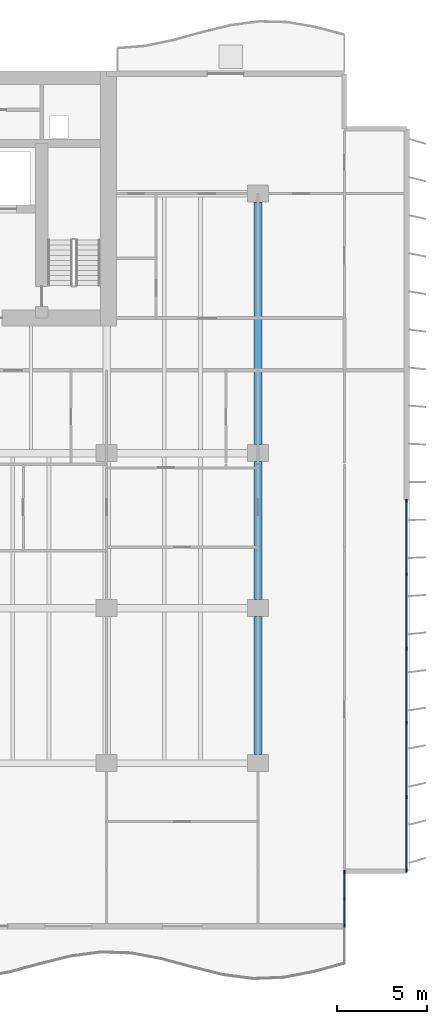
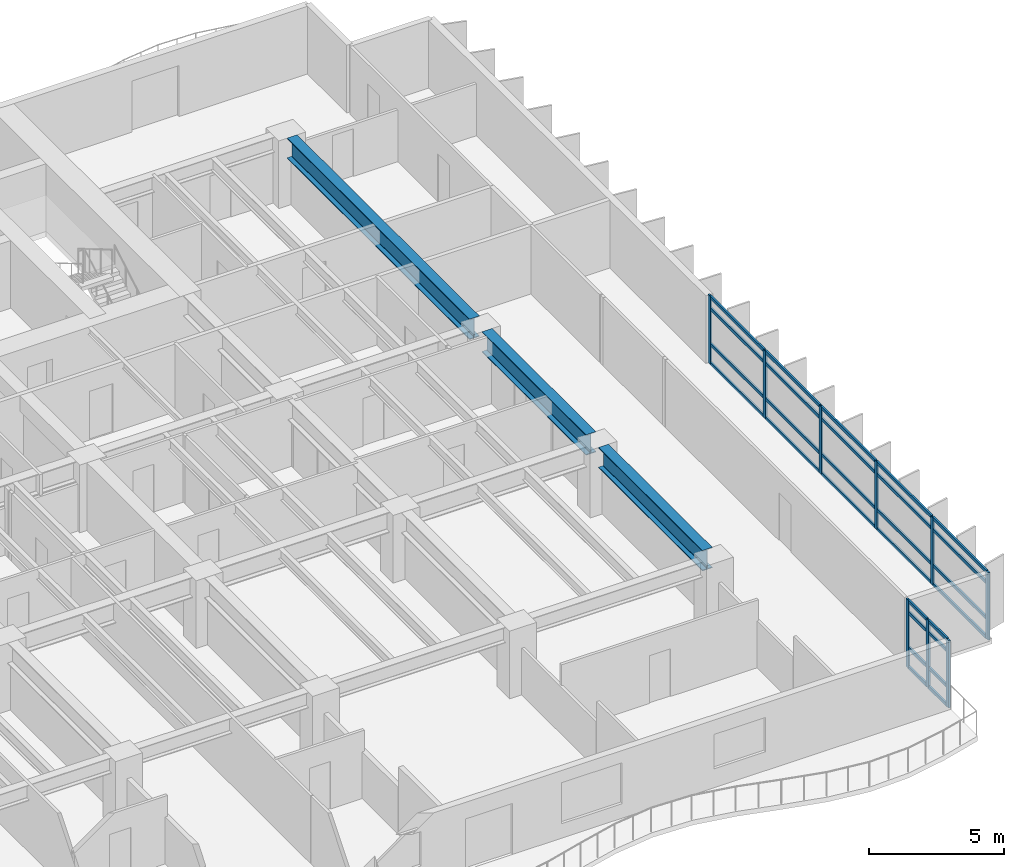
# One storey, part 4 of 18: 37 members, 3 beams, 2 elements without a shape of their own.
"""IFC4 building model written with IfcOpenShell, lengths in metres."""

from ifc_helpers import new_model, si_unit, direction, frame, origin, origin_2d, place, context, subcontext, project, spatial, rectangle, i_section, extrude, material, layer, layer_set, material_profile, profile_set, type_object, element, aggregate, save


model = new_model("IFC4")

# Units and contexts
model_context = context("Model", 3, precision=1e-05, world=origin(), true_north=direction((0.0, 1.0)))
body_context = subcontext(model_context, "Body", "Model", "MODEL_VIEW")
ifc_project = project(units=[si_unit("LENGTHUNIT", "METRE"), si_unit("AREAUNIT", "SQUARE_METRE"), si_unit("VOLUMEUNIT", "CUBIC_METRE"), si_unit("PLANEANGLEUNIT", "RADIAN"), si_unit("MASSUNIT", "GRAM", prefix="KILO")], contexts=[model_context])

# Site, building, storey
site_placement = place(None, origin())
site = spatial("IfcSite", under=ifc_project, at=site_placement, CompositionType="ELEMENT")
building_placement = place(site_placement, origin())
building = spatial("IfcBuilding", under=site, at=building_placement, Name="Caelmar Bay Residences", CompositionType="ELEMENT")
storey_placement = place(building_placement, frame((0.0, 0.0, 46.5)))
storey = spatial("IfcBuildingStorey", under=building, at=storey_placement, Name="L11", CompositionType="ELEMENT", Elevation=46.5)

# Beams
ifc_material_1 = material(Name="Steel ASTM A992 Grade 50", Category="steel")
ifc_material_profile_1 = material_profile(ifc_material_1, i_section(OverallWidth=0.422119140625, OverallDepth=0.925048828125, WebThickness=0.021240234375, FlangeThickness=0.03662109375, FilletRadius=0.020263671875, at=origin_2d()), Name="W36X262")
ifc_profile_set_1 = profile_set([ifc_material_profile_1], Name="Steel ASTM A992 Grade 50")
beam_type = type_object("IfcBeamType", Name="BM-GRD-W36X262", PredefinedType="BEAM", material=ifc_profile_set_1)
beam_1_placement = place(storey_placement, frame((67.89990234375, 12.6650390625, 2.58740234375), z_axis=(0.0, 1.0, 0.0), x_axis=(-1.0, 0.0, 0.0)))
element("IfcBeam", 1, at=beam_1_placement, inside=storey, type_object=beam_type, Name="L11 North-South Girder X=67.90 (12.2-20.8)", PredefinedType="BEAM", context=body_context, shape_type="SweptSolid", body=[
    extrude(i_section(OverallWidth=0.422119140625, OverallDepth=0.925048828125, WebThickness=0.021240234375, FlangeThickness=0.03662109375, FilletRadius=0.020263671875, at=origin_2d()), origin(), (0.0, 0.0, 1.0), 7.669921875),
])
beam_2_placement = place(storey_placement, frame((67.89990234375, 21.264892578125, 2.58740234375), z_axis=(0.0, 1.0, 0.0), x_axis=(-1.0, 0.0, 0.0)))
element("IfcBeam", 2, at=beam_2_placement, inside=storey, type_object=beam_type, Name="L11 North-South Girder X=67.90 (20.8-29.4)", PredefinedType="BEAM", context=body_context, shape_type="SweptSolid", body=[
    extrude(i_section(OverallWidth=0.422119140625, OverallDepth=0.925048828125, WebThickness=0.021240234375, FlangeThickness=0.03662109375, FilletRadius=0.020263671875, at=origin_2d()), origin(), (0.0, 0.0, 1.0), 7.670166015625),
])
beam_3_placement = place(storey_placement, frame((67.89990234375, 29.864990234375, 2.58740234375), z_axis=(0.0, 1.0, 0.0), x_axis=(-1.0, 0.0, 0.0)))
element("IfcBeam", 3, at=beam_3_placement, inside=storey, type_object=beam_type, Name="L11 North-South Girder X=67.90 (29.4-43.8)", PredefinedType="BEAM", context=body_context, shape_type="SweptSolid", body=[
    extrude(i_section(OverallWidth=0.422119140625, OverallDepth=0.925048828125, WebThickness=0.021240234375, FlangeThickness=0.03662109375, FilletRadius=0.020263671875, at=origin_2d()), origin(), (0.0, 0.0, 1.0), 13.469970703125),
])

# Curtain wall, members
ifc_material_2 = material(Name="Anodised bronze aluminium 6063-T6 and laminated glass", Category="aluminium")
ifc_layer_1 = layer(ifc_material_2, 0.179931640625)
ifc_layer_set_1 = layer_set([ifc_layer_1], Name="Anodised bronze aluminium 6063-T6 and laminated glass")
curtain_wall_type_1 = type_object("IfcCurtainWallType", Name="CW6-NTC", PredefinedType="NOTDEFINED", material=ifc_layer_set_1)
curtain_wall_1_placement = place(storey_placement, origin())
curtain_wall_1 = element("IfcCurtainWall", 4, at=curtain_wall_1_placement, inside=storey, type_object=curtain_wall_type_1, Name="CW6 curtain wall L11", PredefinedType="NOTDEFINED")
ifc_material_3 = material(Name="Anodised bronze aluminium 6063-T6", Category="aluminium")
ifc_material_profile_2 = material_profile(ifc_material_3, rectangle(XDim=0.080078125, YDim=0.179931640625, at=origin_2d()), Name="CWM-80X180")
ifc_profile_set_2 = profile_set([ifc_material_profile_2], Name="Anodised bronze aluminium 6063-T6")
member_type_1 = type_object("IfcMemberType", Name="CWM-180", PredefinedType="MULLION", material=ifc_profile_set_2)
member_1_placement = place(storey_placement, frame((72.699951171875, 3.18994140625, 0.0), z_axis=(0.0, 0.0, 1.0), x_axis=(-1.0, 0.0, 0.0)))
member_1 = element("IfcMember", 5, at=member_1_placement, type_object=member_type_1, Name="CW6 mullion 1", PredefinedType="MULLION", context=body_context, shape_type="SweptSolid", body=[
    extrude(rectangle(XDim=0.080078125, YDim=0.179931640625, at=origin_2d()), origin(), (0.0, 0.0, 1.0), 3.050048828125),
])
member_2_placement = place(storey_placement, frame((72.699951171875, 4.675048828125, 0.0), z_axis=(0.0, 0.0, 1.0), x_axis=(-1.0, 0.0, 0.0)))
member_2 = element("IfcMember", 6, at=member_2_placement, type_object=member_type_1, Name="CW6 mullion 2", PredefinedType="MULLION", context=body_context, shape_type="SweptSolid", body=[
    extrude(rectangle(XDim=0.080078125, YDim=0.179931640625, at=origin_2d()), origin(), (0.0, 0.0, 1.0), 3.050048828125),
])
member_3_placement = place(storey_placement, frame((72.699951171875, 6.159912109375, 0.0), z_axis=(0.0, 0.0, 1.0), x_axis=(-1.0, 0.0, 0.0)))
member_3 = element("IfcMember", 7, at=member_3_placement, type_object=member_type_1, Name="CW6 mullion 3", PredefinedType="MULLION", context=body_context, shape_type="SweptSolid", body=[
    extrude(rectangle(XDim=0.080078125, YDim=0.179931640625, at=origin_2d()), origin(), (0.0, 0.0, 1.0), 3.050048828125),
])

ifc_layer_2 = layer(ifc_material_2, 0.179931640625)
ifc_layer_set_2 = layer_set([ifc_layer_2], Name="Anodised bronze aluminium 6063-T6 and laminated glass")
curtain_wall_type_2 = type_object("IfcCurtainWallType", Name="CW2-Z1", PredefinedType="NOTDEFINED", material=ifc_layer_set_2)
curtain_wall_2_placement = place(storey_placement, origin())
curtain_wall_2 = element("IfcCurtainWall", 8, at=curtain_wall_2_placement, inside=storey, type_object=curtain_wall_type_2, Name="CW2 curtain wall L11", PredefinedType="NOTDEFINED")
member_4_placement = place(storey_placement, frame((76.14990234375, 26.760009765625, 0.0), z_axis=(0.0, 0.0, 1.0), x_axis=(1.0, 0.0, 0.0)))
member_4 = element("IfcMember", 9, at=member_4_placement, type_object=member_type_1, Name="CW2 mullion 1", PredefinedType="MULLION", context=body_context, shape_type="SweptSolid", body=[
    extrude(rectangle(XDim=0.080078125, YDim=0.179931640625, at=origin_2d()), origin(), (0.0, 0.0, 1.0), 3.050048828125),
])
member_5_placement = place(storey_placement, frame((76.14990234375, 22.679931640625, 0.0), z_axis=(0.0, 0.0, 1.0), x_axis=(1.0, 0.0, 0.0)))
member_5 = element("IfcMember", 10, at=member_5_placement, type_object=member_type_1, Name="CW2 mullion 2", PredefinedType="MULLION", context=body_context, shape_type="SweptSolid", body=[
    extrude(rectangle(XDim=0.080078125, YDim=0.179931640625, at=origin_2d()), origin(), (0.0, 0.0, 1.0), 3.050048828125),
])
member_6_placement = place(storey_placement, frame((76.14990234375, 18.56005859375, 0.0), z_axis=(0.0, 0.0, 1.0), x_axis=(1.0, 0.0, 0.0)))
member_6 = element("IfcMember", 11, at=member_6_placement, type_object=member_type_1, Name="CW2 mullion 3", PredefinedType="MULLION", context=body_context, shape_type="SweptSolid", body=[
    extrude(rectangle(XDim=0.080078125, YDim=0.179931640625, at=origin_2d()), origin(), (0.0, 0.0, 1.0), 3.050048828125),
])
member_7_placement = place(storey_placement, frame((76.14990234375, 14.43994140625, 0.0), z_axis=(0.0, 0.0, 1.0), x_axis=(1.0, 0.0, 0.0)))
member_7 = element("IfcMember", 12, at=member_7_placement, type_object=member_type_1, Name="CW2 mullion 4", PredefinedType="MULLION", context=body_context, shape_type="SweptSolid", body=[
    extrude(rectangle(XDim=0.080078125, YDim=0.179931640625, at=origin_2d()), origin(), (0.0, 0.0, 1.0), 3.050048828125),
])
member_8_placement = place(storey_placement, frame((76.14990234375, 10.320068359375, 0.0), z_axis=(0.0, 0.0, 1.0), x_axis=(1.0, 0.0, 0.0)))
member_8 = element("IfcMember", 13, at=member_8_placement, type_object=member_type_1, Name="CW2 mullion 5", PredefinedType="MULLION", context=body_context, shape_type="SweptSolid", body=[
    extrude(rectangle(XDim=0.080078125, YDim=0.179931640625, at=origin_2d()), origin(), (0.0, 0.0, 1.0), 3.050048828125),
])
member_9_placement = place(storey_placement, frame((76.14990234375, 6.239990234375, 0.0), z_axis=(0.0, 0.0, 1.0), x_axis=(1.0, 0.0, 0.0)))
member_9 = element("IfcMember", 14, at=member_9_placement, type_object=member_type_1, Name="CW2 mullion 6", PredefinedType="MULLION", context=body_context, shape_type="SweptSolid", body=[
    extrude(rectangle(XDim=0.080078125, YDim=0.179931640625, at=origin_2d()), origin(), (0.0, 0.0, 1.0), 3.050048828125),
])

# Member
ifc_material_profile_3 = material_profile(ifc_material_3, rectangle(XDim=0.080078125, YDim=0.139892578125, at=origin_2d()), Name="CWT-80X140")
ifc_profile_set_3 = profile_set([ifc_material_profile_3], Name="Anodised bronze aluminium 6063-T6")
member_type_2 = type_object("IfcMemberType", Name="CWT-140", PredefinedType="NOTDEFINED", material=ifc_profile_set_3)
member_10_placement = place(storey_placement, frame((72.699951171875, 3.22998046875, 0.0400390625), z_axis=(0.0, 1.0, 0.0), x_axis=(-1.0, 0.0, 0.0)))
member_10 = element("IfcMember", 15, at=member_10_placement, type_object=member_type_2, Name="CW6 transom 1.1", ObjectType="TRANSOM", PredefinedType="USERDEFINED", context=body_context, shape_type="SweptSolid", body=[
    extrude(rectangle(XDim=0.080078125, YDim=0.139892578125, at=origin_2d()), origin(), (0.0, 0.0, 1.0), 1.405029296875),
])

member_11_placement = place(storey_placement, frame((72.699951171875, 3.22998046875, 0.89990234375), z_axis=(0.0, 1.0, 0.0), x_axis=(-1.0, 0.0, 0.0)))
member_11 = element("IfcMember", 16, at=member_11_placement, type_object=member_type_2, Name="CW6 transom 1.2", ObjectType="TRANSOM", PredefinedType="USERDEFINED", context=body_context, shape_type="SweptSolid", body=[
    extrude(rectangle(XDim=0.080078125, YDim=0.139892578125, at=origin_2d()), origin(), (0.0, 0.0, 1.0), 1.405029296875),
])

member_12_placement = place(storey_placement, frame((72.699951171875, 3.22998046875, 2.5), z_axis=(0.0, 1.0, 0.0), x_axis=(-1.0, 0.0, 0.0)))
member_12 = element("IfcMember", 17, at=member_12_placement, type_object=member_type_2, Name="CW6 transom 1.3", ObjectType="TRANSOM", PredefinedType="USERDEFINED", context=body_context, shape_type="SweptSolid", body=[
    extrude(rectangle(XDim=0.080078125, YDim=0.139892578125, at=origin_2d()), origin(), (0.0, 0.0, 1.0), 1.405029296875),
])

member_13_placement = place(storey_placement, frame((72.699951171875, 3.22998046875, 3.010009765625), z_axis=(0.0, 1.0, 0.0), x_axis=(-1.0, 0.0, 0.0)))
member_13 = element("IfcMember", 18, at=member_13_placement, type_object=member_type_2, Name="CW6 transom 1.4", ObjectType="TRANSOM", PredefinedType="USERDEFINED", context=body_context, shape_type="SweptSolid", body=[
    extrude(rectangle(XDim=0.080078125, YDim=0.139892578125, at=origin_2d()), origin(), (0.0, 0.0, 1.0), 1.405029296875),
])

member_14_placement = place(storey_placement, frame((72.699951171875, 4.715087890625, 0.0400390625), z_axis=(0.0, 1.0, 0.0), x_axis=(-1.0, 0.0, 0.0)))
member_14 = element("IfcMember", 19, at=member_14_placement, type_object=member_type_2, Name="CW6 transom 2.1", ObjectType="TRANSOM", PredefinedType="USERDEFINED", context=body_context, shape_type="SweptSolid", body=[
    extrude(rectangle(XDim=0.080078125, YDim=0.139892578125, at=origin_2d()), origin(), (0.0, 0.0, 1.0), 1.405029296875),
])

member_15_placement = place(storey_placement, frame((72.699951171875, 4.715087890625, 0.89990234375), z_axis=(0.0, 1.0, 0.0), x_axis=(-1.0, 0.0, 0.0)))
member_15 = element("IfcMember", 20, at=member_15_placement, type_object=member_type_2, Name="CW6 transom 2.2", ObjectType="TRANSOM", PredefinedType="USERDEFINED", context=body_context, shape_type="SweptSolid", body=[
    extrude(rectangle(XDim=0.080078125, YDim=0.139892578125, at=origin_2d()), origin(), (0.0, 0.0, 1.0), 1.405029296875),
])

member_16_placement = place(storey_placement, frame((72.699951171875, 4.715087890625, 2.5), z_axis=(0.0, 1.0, 0.0), x_axis=(-1.0, 0.0, 0.0)))
member_16 = element("IfcMember", 21, at=member_16_placement, type_object=member_type_2, Name="CW6 transom 2.3", ObjectType="TRANSOM", PredefinedType="USERDEFINED", context=body_context, shape_type="SweptSolid", body=[
    extrude(rectangle(XDim=0.080078125, YDim=0.139892578125, at=origin_2d()), origin(), (0.0, 0.0, 1.0), 1.405029296875),
])

member_17_placement = place(storey_placement, frame((72.699951171875, 4.715087890625, 3.010009765625), z_axis=(0.0, 1.0, 0.0), x_axis=(-1.0, 0.0, 0.0)))
member_17 = element("IfcMember", 22, at=member_17_placement, type_object=member_type_2, Name="CW6 transom 2.4", ObjectType="TRANSOM", PredefinedType="USERDEFINED", context=body_context, shape_type="SweptSolid", body=[
    extrude(rectangle(XDim=0.080078125, YDim=0.139892578125, at=origin_2d()), origin(), (0.0, 0.0, 1.0), 1.405029296875),
])

aggregate(curtain_wall_1, [member_1, member_2, member_3, member_10, member_11, member_12, member_13, member_14, member_15, member_16, member_17])

member_18_placement = place(storey_placement, frame((76.14990234375, 26.719970703125, 0.0400390625), z_axis=(0.0, -1.0, 0.0), x_axis=(1.0, 0.0, 0.0)))
member_18 = element("IfcMember", 23, at=member_18_placement, type_object=member_type_2, Name="CW2 transom 1.1", ObjectType="TRANSOM", PredefinedType="USERDEFINED", context=body_context, shape_type="SweptSolid", body=[
    extrude(rectangle(XDim=0.080078125, YDim=0.139892578125, at=origin_2d()), origin(), (0.0, 0.0, 1.0), 4.0),
])

member_19_placement = place(storey_placement, frame((76.14990234375, 26.719970703125, 0.89990234375), z_axis=(0.0, -1.0, 0.0), x_axis=(1.0, 0.0, 0.0)))
member_19 = element("IfcMember", 24, at=member_19_placement, type_object=member_type_2, Name="CW2 transom 1.2", ObjectType="TRANSOM", PredefinedType="USERDEFINED", context=body_context, shape_type="SweptSolid", body=[
    extrude(rectangle(XDim=0.080078125, YDim=0.139892578125, at=origin_2d()), origin(), (0.0, 0.0, 1.0), 4.0),
])

member_20_placement = place(storey_placement, frame((76.14990234375, 26.719970703125, 2.5), z_axis=(0.0, -1.0, 0.0), x_axis=(1.0, 0.0, 0.0)))
member_20 = element("IfcMember", 25, at=member_20_placement, type_object=member_type_2, Name="CW2 transom 1.3", ObjectType="TRANSOM", PredefinedType="USERDEFINED", context=body_context, shape_type="SweptSolid", body=[
    extrude(rectangle(XDim=0.080078125, YDim=0.139892578125, at=origin_2d()), origin(), (0.0, 0.0, 1.0), 4.0),
])

member_21_placement = place(storey_placement, frame((76.14990234375, 26.719970703125, 3.010009765625), z_axis=(0.0, -1.0, 0.0), x_axis=(1.0, 0.0, 0.0)))
member_21 = element("IfcMember", 26, at=member_21_placement, type_object=member_type_2, Name="CW2 transom 1.4", ObjectType="TRANSOM", PredefinedType="USERDEFINED", context=body_context, shape_type="SweptSolid", body=[
    extrude(rectangle(XDim=0.080078125, YDim=0.139892578125, at=origin_2d()), origin(), (0.0, 0.0, 1.0), 4.0),
])

member_22_placement = place(storey_placement, frame((76.14990234375, 22.639892578125, 0.0400390625), z_axis=(0.0, -1.0, 0.0), x_axis=(1.0, 0.0, 0.0)))
member_22 = element("IfcMember", 27, at=member_22_placement, type_object=member_type_2, Name="CW2 transom 2.1", ObjectType="TRANSOM", PredefinedType="USERDEFINED", context=body_context, shape_type="SweptSolid", body=[
    extrude(rectangle(XDim=0.080078125, YDim=0.139892578125, at=origin_2d()), origin(), (0.0, 0.0, 1.0), 4.039794921875),
])

member_23_placement = place(storey_placement, frame((76.14990234375, 22.639892578125, 0.89990234375), z_axis=(0.0, -1.0, 0.0), x_axis=(1.0, 0.0, 0.0)))
member_23 = element("IfcMember", 28, at=member_23_placement, type_object=member_type_2, Name="CW2 transom 2.2", ObjectType="TRANSOM", PredefinedType="USERDEFINED", context=body_context, shape_type="SweptSolid", body=[
    extrude(rectangle(XDim=0.080078125, YDim=0.139892578125, at=origin_2d()), origin(), (0.0, 0.0, 1.0), 4.039794921875),
])

member_24_placement = place(storey_placement, frame((76.14990234375, 22.639892578125, 2.5), z_axis=(0.0, -1.0, 0.0), x_axis=(1.0, 0.0, 0.0)))
member_24 = element("IfcMember", 29, at=member_24_placement, type_object=member_type_2, Name="CW2 transom 2.3", ObjectType="TRANSOM", PredefinedType="USERDEFINED", context=body_context, shape_type="SweptSolid", body=[
    extrude(rectangle(XDim=0.080078125, YDim=0.139892578125, at=origin_2d()), origin(), (0.0, 0.0, 1.0), 4.039794921875),
])

member_25_placement = place(storey_placement, frame((76.14990234375, 22.639892578125, 3.010009765625), z_axis=(0.0, -1.0, 0.0), x_axis=(1.0, 0.0, 0.0)))
member_25 = element("IfcMember", 30, at=member_25_placement, type_object=member_type_2, Name="CW2 transom 2.4", ObjectType="TRANSOM", PredefinedType="USERDEFINED", context=body_context, shape_type="SweptSolid", body=[
    extrude(rectangle(XDim=0.080078125, YDim=0.139892578125, at=origin_2d()), origin(), (0.0, 0.0, 1.0), 4.039794921875),
])

member_26_placement = place(storey_placement, frame((76.14990234375, 18.52001953125, 0.0400390625), z_axis=(0.0, -1.0, 0.0), x_axis=(1.0, 0.0, 0.0)))
member_26 = element("IfcMember", 31, at=member_26_placement, type_object=member_type_2, Name="CW2 transom 3.1", ObjectType="TRANSOM", PredefinedType="USERDEFINED", context=body_context, shape_type="SweptSolid", body=[
    extrude(rectangle(XDim=0.080078125, YDim=0.139892578125, at=origin_2d()), origin(), (0.0, 0.0, 1.0), 4.0400390625),
])

member_27_placement = place(storey_placement, frame((76.14990234375, 18.52001953125, 0.89990234375), z_axis=(0.0, -1.0, 0.0), x_axis=(1.0, 0.0, 0.0)))
member_27 = element("IfcMember", 32, at=member_27_placement, type_object=member_type_2, Name="CW2 transom 3.2", ObjectType="TRANSOM", PredefinedType="USERDEFINED", context=body_context, shape_type="SweptSolid", body=[
    extrude(rectangle(XDim=0.080078125, YDim=0.139892578125, at=origin_2d()), origin(), (0.0, 0.0, 1.0), 4.0400390625),
])

member_28_placement = place(storey_placement, frame((76.14990234375, 18.52001953125, 2.5), z_axis=(0.0, -1.0, 0.0), x_axis=(1.0, 0.0, 0.0)))
member_28 = element("IfcMember", 33, at=member_28_placement, type_object=member_type_2, Name="CW2 transom 3.3", ObjectType="TRANSOM", PredefinedType="USERDEFINED", context=body_context, shape_type="SweptSolid", body=[
    extrude(rectangle(XDim=0.080078125, YDim=0.139892578125, at=origin_2d()), origin(), (0.0, 0.0, 1.0), 4.0400390625),
])

member_29_placement = place(storey_placement, frame((76.14990234375, 18.52001953125, 3.010009765625), z_axis=(0.0, -1.0, 0.0), x_axis=(1.0, 0.0, 0.0)))
member_29 = element("IfcMember", 34, at=member_29_placement, type_object=member_type_2, Name="CW2 transom 3.4", ObjectType="TRANSOM", PredefinedType="USERDEFINED", context=body_context, shape_type="SweptSolid", body=[
    extrude(rectangle(XDim=0.080078125, YDim=0.139892578125, at=origin_2d()), origin(), (0.0, 0.0, 1.0), 4.0400390625),
])

member_30_placement = place(storey_placement, frame((76.14990234375, 14.39990234375, 0.0400390625), z_axis=(0.0, -1.0, 0.0), x_axis=(1.0, 0.0, 0.0)))
member_30 = element("IfcMember", 35, at=member_30_placement, type_object=member_type_2, Name="CW2 transom 4.1", ObjectType="TRANSOM", PredefinedType="USERDEFINED", context=body_context, shape_type="SweptSolid", body=[
    extrude(rectangle(XDim=0.080078125, YDim=0.139892578125, at=origin_2d()), origin(), (0.0, 0.0, 1.0), 4.039794921875),
])

member_31_placement = place(storey_placement, frame((76.14990234375, 14.39990234375, 0.89990234375), z_axis=(0.0, -1.0, 0.0), x_axis=(1.0, 0.0, 0.0)))
member_31 = element("IfcMember", 36, at=member_31_placement, type_object=member_type_2, Name="CW2 transom 4.2", ObjectType="TRANSOM", PredefinedType="USERDEFINED", context=body_context, shape_type="SweptSolid", body=[
    extrude(rectangle(XDim=0.080078125, YDim=0.139892578125, at=origin_2d()), origin(), (0.0, 0.0, 1.0), 4.039794921875),
])

member_32_placement = place(storey_placement, frame((76.14990234375, 14.39990234375, 2.5), z_axis=(0.0, -1.0, 0.0), x_axis=(1.0, 0.0, 0.0)))
member_32 = element("IfcMember", 37, at=member_32_placement, type_object=member_type_2, Name="CW2 transom 4.3", ObjectType="TRANSOM", PredefinedType="USERDEFINED", context=body_context, shape_type="SweptSolid", body=[
    extrude(rectangle(XDim=0.080078125, YDim=0.139892578125, at=origin_2d()), origin(), (0.0, 0.0, 1.0), 4.039794921875),
])

member_33_placement = place(storey_placement, frame((76.14990234375, 14.39990234375, 3.010009765625), z_axis=(0.0, -1.0, 0.0), x_axis=(1.0, 0.0, 0.0)))
member_33 = element("IfcMember", 38, at=member_33_placement, type_object=member_type_2, Name="CW2 transom 4.4", ObjectType="TRANSOM", PredefinedType="USERDEFINED", context=body_context, shape_type="SweptSolid", body=[
    extrude(rectangle(XDim=0.080078125, YDim=0.139892578125, at=origin_2d()), origin(), (0.0, 0.0, 1.0), 4.039794921875),
])

member_34_placement = place(storey_placement, frame((76.14990234375, 10.280029296875, 0.0400390625), z_axis=(0.0, -1.0, 0.0), x_axis=(1.0, 0.0, 0.0)))
member_34 = element("IfcMember", 39, at=member_34_placement, type_object=member_type_2, Name="CW2 transom 5.1", ObjectType="TRANSOM", PredefinedType="USERDEFINED", context=body_context, shape_type="SweptSolid", body=[
    extrude(rectangle(XDim=0.080078125, YDim=0.139892578125, at=origin_2d()), origin(), (0.0, 0.0, 1.0), 4.0),
])

member_35_placement = place(storey_placement, frame((76.14990234375, 10.280029296875, 0.89990234375), z_axis=(0.0, -1.0, 0.0), x_axis=(1.0, 0.0, 0.0)))
member_35 = element("IfcMember", 40, at=member_35_placement, type_object=member_type_2, Name="CW2 transom 5.2", ObjectType="TRANSOM", PredefinedType="USERDEFINED", context=body_context, shape_type="SweptSolid", body=[
    extrude(rectangle(XDim=0.080078125, YDim=0.139892578125, at=origin_2d()), origin(), (0.0, 0.0, 1.0), 4.0),
])

member_36_placement = place(storey_placement, frame((76.14990234375, 10.280029296875, 2.5), z_axis=(0.0, -1.0, 0.0), x_axis=(1.0, 0.0, 0.0)))
member_36 = element("IfcMember", 41, at=member_36_placement, type_object=member_type_2, Name="CW2 transom 5.3", ObjectType="TRANSOM", PredefinedType="USERDEFINED", context=body_context, shape_type="SweptSolid", body=[
    extrude(rectangle(XDim=0.080078125, YDim=0.139892578125, at=origin_2d()), origin(), (0.0, 0.0, 1.0), 4.0),
])

member_37_placement = place(storey_placement, frame((76.14990234375, 10.280029296875, 3.010009765625), z_axis=(0.0, -1.0, 0.0), x_axis=(1.0, 0.0, 0.0)))
member_37 = element("IfcMember", 42, at=member_37_placement, type_object=member_type_2, Name="CW2 transom 5.4", ObjectType="TRANSOM", PredefinedType="USERDEFINED", context=body_context, shape_type="SweptSolid", body=[
    extrude(rectangle(XDim=0.080078125, YDim=0.139892578125, at=origin_2d()), origin(), (0.0, 0.0, 1.0), 4.0),
])

aggregate(curtain_wall_2, [member_4, member_5, member_6, member_7, member_8, member_9, member_18, member_19, member_20, member_21, member_22, member_23, member_24, member_25, member_26, member_27, member_28, member_29, member_30, member_31, member_32, member_33, member_34, member_35, member_36, member_37])

save(model, "model.ifc")
